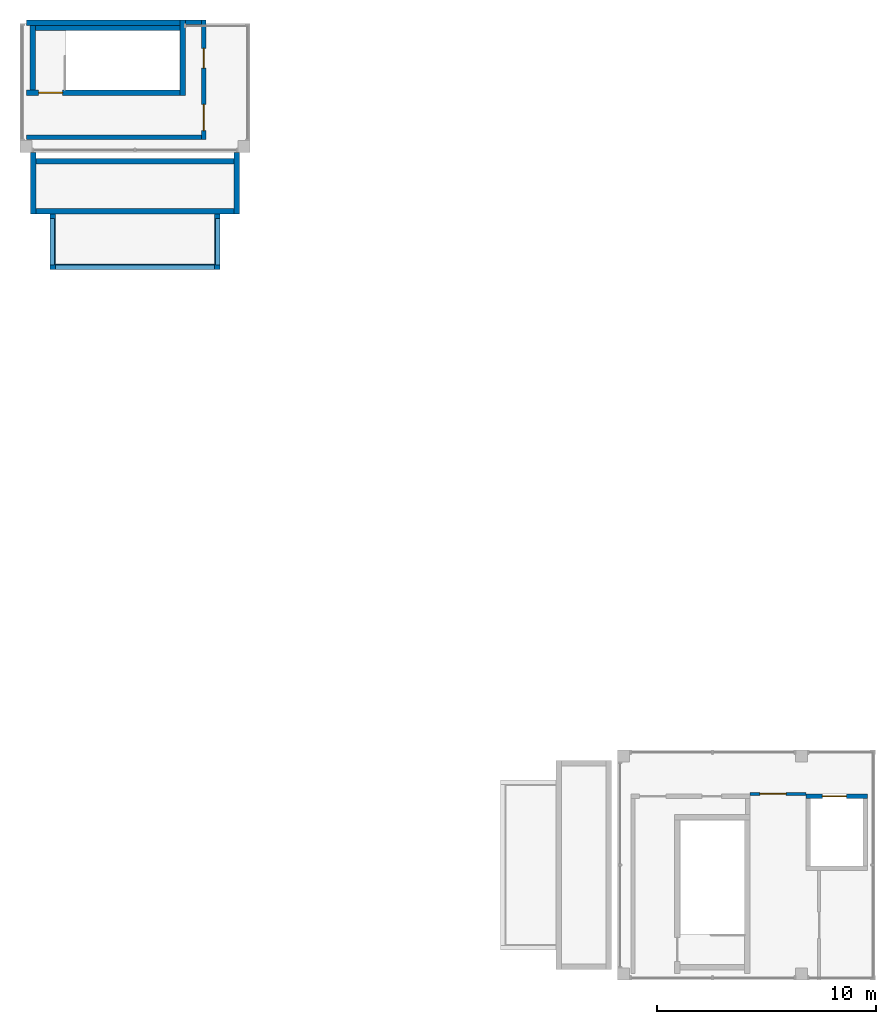
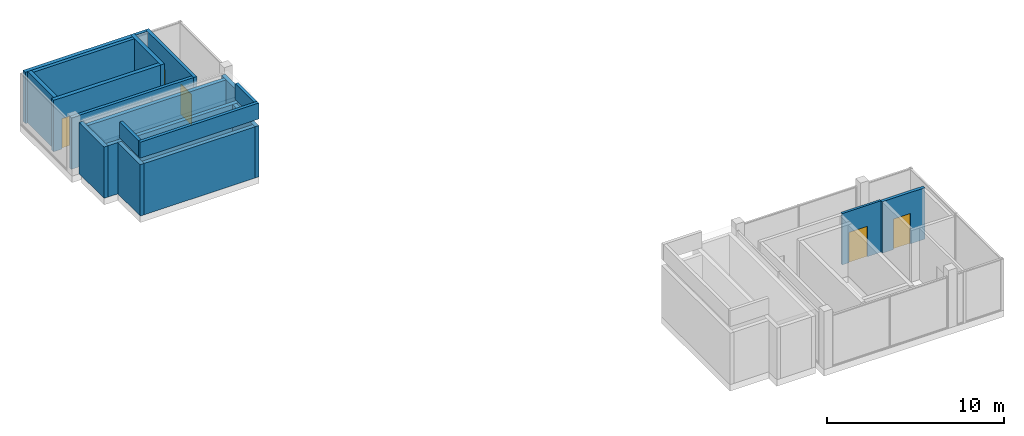
# One storey, part 5 of 6: 20 walls, 5 doors, 5 openings.
"""IFC4 building model written with IfcOpenShell, lengths in metres."""

from ifc_helpers import new_model, si_unit, direction, frame, frame_2d, origin, place, context, subcontext, project, spatial, rectangle, extrude, source, transform, mapped, material, layer, layer_set, type_object, element, fill, save


model = new_model("IFC4")

# Units and contexts
model_context = context("Model", 3, precision=1e-05, world=origin(), true_north=direction((0.0, 1.0)))
body_context = subcontext(model_context, "Body", "Model", "MODEL_VIEW")
ifc_project = project(units=[si_unit("LENGTHUNIT", "METRE"), si_unit("AREAUNIT", "SQUARE_METRE"), si_unit("VOLUMEUNIT", "CUBIC_METRE"), si_unit("PLANEANGLEUNIT", "RADIAN"), si_unit("MASSUNIT", "GRAM", prefix="KILO")], contexts=[model_context])

# Site, building, storey
site_placement = place(None, origin())
site = spatial("IfcSite", under=ifc_project, at=site_placement, CompositionType="ELEMENT")
building_placement = place(site_placement, origin())
building = spatial("IfcBuilding", under=site, at=building_placement, Name="Aurelian Terraces", CompositionType="ELEMENT")
storey_placement = place(building_placement, frame((0.0, 0.0, 380.5)))
storey = spatial("IfcBuildingStorey", under=building, at=storey_placement, Name="L91", CompositionType="ELEMENT", Elevation=380.5)

# Walls
ifc_material_1 = material(Name="Concrete fc' 40 MPa", Category="concrete")
ifc_layer_1 = layer(ifc_material_1, 0.2)
ifc_layer_set_1 = layer_set([ifc_layer_1], Name="CROWN PARAPET 200 FC40")
wall_type_1 = type_object("IfcWallType", Name="CROWN PARAPET 200 FC40", PredefinedType="SOLIDWALL", material=ifc_layer_set_1)
wall_1_placement = place(storey_placement, frame((11.875, 32.558, 4.0), z_axis=(0.0, 0.0, 1.0), x_axis=(1.0, 0.0, 0.0)))
element("IfcWall", 1, at=wall_1_placement, inside=storey, type_object=wall_type_1, Name="Crown roof parapet BS2", PredefinedType="SOLIDWALL", context=body_context, shape_type="SweptSolid", body=[
    extrude(rectangle(XDim=7.75, YDim=0.2, at=frame_2d((3.875, 0.0))), origin(), (0.0, 0.0, 1.0), 1.1),
])
wall_2_placement = place(storey_placement, frame((19.525, 32.658, 4.0), z_axis=(0.0, 0.0, 1.0), x_axis=(0.0, 1.0, 0.0)))
element("IfcWall", 2, at=wall_2_placement, inside=storey, type_object=wall_type_1, Name="Crown roof parapet BS2", PredefinedType="SOLIDWALL", context=body_context, shape_type="SweptSolid", body=[
    extrude(rectangle(XDim=2.134, YDim=0.2, at=frame_2d((1.067, 0.0))), origin(), (0.0, 0.0, 1.0), 1.1),
])
ifc_layer_2 = layer(ifc_material_1, 0.3)
ifc_layer_set_2 = layer_set([ifc_layer_2], Name="STAIR BAY WALL 300")
wall_type_2 = type_object("IfcWallType", Name="STAIR BAY WALL 300", PredefinedType="SOLIDWALL", material=ifc_layer_set_2)
wall_3_placement = place(storey_placement, frame((18.0, 43.53, 0.0), z_axis=(0.0, 0.0, 1.0), x_axis=(-1.0, 0.0, 0.0)))
element("IfcWall", 3, at=wall_3_placement, inside=storey, type_object=wall_type_2, Name="Stair bay wall L91 F07.2", PredefinedType="SOLIDWALL", context=body_context, shape_type="SweptSolid", body=[
    extrude(rectangle(XDim=7.0, YDim=0.3, at=frame_2d((3.5, 0.0))), origin(), (0.0, 0.0, 1.0), 3.55),
])
ifc_material_2 = material(Name="Concrete fc' 55 MPa", Category="concrete")
ifc_layer_3 = layer(ifc_material_2, 0.25)
ifc_layer_set_3 = layer_set([ifc_layer_3], Name="PLANT PENTHOUSE 250 FC55")
wall_type_3 = type_object("IfcWallType", Name="PLANT PENTHOUSE 250 FC55", PredefinedType="SOLIDWALL", material=ifc_layer_set_3)
shared_shape_1 = source(origin(), body_context, "Body", "SweptSolid", [
    extrude(rectangle(XDim=7.25, YDim=0.25, at=frame_2d((3.625, 0.0))), origin(), (0.0, 0.0, 1.0), 3.55),
])
wall_4_placement = place(storey_placement, frame((12.125, 32.583, 0.0), z_axis=(0.0, 0.0, 1.0), x_axis=(1.0, 0.0, 0.0)))
element("IfcWall", 4, at=wall_4_placement, inside=storey, type_object=wall_type_3, Name="Crown tier wall BS2", PredefinedType="SOLIDWALL", context=body_context, shape_type="MappedRepresentation", body=[
    mapped(shared_shape_1, transform((0.0, 0.0, 0.0), scale=1.0)),
])
shared_shape_2 = source(origin(), body_context, "Body", "SweptSolid", [
    extrude(rectangle(XDim=2.534, YDim=0.25, at=frame_2d((1.267, 0.0))), origin(), (0.0, 0.0, 1.0), 3.55),
])
for number, where, z_axis, x_axis, name in (
    (5, (19.5, 32.458, 0.0), (0.0, 0.0, 1.0), (0.0, 1.0, 0.0), "Crown tier wall BS2"),
    (6, (12.0, 34.992, 0.0), (0.0, 0.0, 1.0), (0.0, -1.0, 0.0), "Crown tier wall BS2"),
):
    element("IfcWall", number, at=place(storey_placement, frame(where, z_axis=z_axis, x_axis=x_axis)), inside=storey, type_object=wall_type_3, Name=name, PredefinedType="SOLIDWALL", context=body_context, shape_type="MappedRepresentation", body=[
        mapped(shared_shape_2, transform((0.0, 0.0, 0.0), scale=1.0)),
    ])
shared_shape_3 = source(origin(), body_context, "Body", "SweptSolid", [
    extrude(rectangle(XDim=2.134, YDim=0.2, at=frame_2d((1.067, 0.0))), origin(), (0.0, 0.0, 1.0), 1.1),
])
wall_5_placement = place(storey_placement, frame((11.975, 32.658, 4.0), z_axis=(0.0, 0.0, 1.0), x_axis=(0.0, 1.0, 0.0)))
element("IfcWall", 7, at=wall_5_placement, inside=storey, type_object=wall_type_1, Name="Crown roof parapet BS2", PredefinedType="SOLIDWALL", context=body_context, shape_type="MappedRepresentation", body=[
    mapped(shared_shape_3, transform((0.0, 0.0, 0.0), scale=1.0)),
])
shared_shape_4 = source(origin(), body_context, "Body", "SweptSolid", [
    extrude(rectangle(XDim=9.05, YDim=0.25, at=frame_2d((4.525, 0.0))), origin(), (0.0, 0.0, 1.0), 3.55),
])
for number, where, z_axis, x_axis, name in (
    (8, (11.225, 35.117, 0.0), (0.0, 0.0, 1.0), (1.0, 0.0, 0.0), "Crown tier wall BS3"),
    (9, (20.275, 37.4, 0.0), (0.0, 0.0, 1.0), (-1.0, 0.0, 0.0), "Crown tier wall BS3"),
):
    element("IfcWall", number, at=place(storey_placement, frame(where, z_axis=z_axis, x_axis=x_axis)), inside=storey, type_object=wall_type_3, Name=name, PredefinedType="SOLIDWALL", context=body_context, shape_type="MappedRepresentation", body=[
        mapped(shared_shape_4, transform((0.0, 0.0, 0.0), scale=1.0)),
    ])
shared_shape_5 = source(origin(), body_context, "Body", "SweptSolid", [
    extrude(rectangle(XDim=2.808, YDim=0.25, at=frame_2d((1.404, 0.0))), origin(), (0.0, 0.0, 1.0), 3.55),
])
for number, where, z_axis, x_axis, name in (
    (10, (20.4, 34.992, 0.0), (0.0, 0.0, 1.0), (0.0, 1.0, 0.0), "Crown tier wall BS3"),
    (11, (11.1, 37.8, 0.0), (0.0, 0.0, 1.0), (0.0, -1.0, 0.0), "Crown tier wall BS3"),
):
    element("IfcWall", number, at=place(storey_placement, frame(where, z_axis=z_axis, x_axis=x_axis)), inside=storey, type_object=wall_type_3, Name=name, PredefinedType="SOLIDWALL", context=body_context, shape_type="MappedRepresentation", body=[
        mapped(shared_shape_5, transform((0.0, 0.0, 0.0), scale=1.0)),
    ])

# Wall, opening, door
ifc_layer_4 = layer(ifc_material_1, 0.25)
ifc_layer_set_4 = layer_set([ifc_layer_4], Name="Stair enclosure wall 250")
wall_type_4 = type_object("IfcWallType", Name="Stair enclosure wall 250", PredefinedType="SOLIDWALL", material=ifc_layer_set_4)
shared_shape_6 = source(origin(), body_context, "Body", "SweptSolid", [
    extrude(rectangle(XDim=7.0, YDim=0.25, at=frame_2d((3.5, 0.0))), origin(), (0.0, 0.0, 1.0), 3.55),
])
wall_6_placement = place(storey_placement, frame((10.8, 40.525, 0.0), z_axis=(0.0, 0.0, 1.0), x_axis=(1.0, 0.0, 0.0)))
wall_6 = element("IfcWall", 12, at=wall_6_placement, inside=storey, type_object=wall_type_4, Name="L91 core wall ST-S3U-W", PredefinedType="SOLIDWALL", context=body_context, shape_type="MappedRepresentation", body=[
    mapped(shared_shape_6, transform((0.0, 0.0, 0.0), scale=1.0)),
])
shared_shape_7 = source(origin(), body_context, "Body", "SweptSolid", [
    extrude(rectangle(XDim=1.1, YDim=2.1, at=frame_2d((0.55, 1.05))), frame((0.0, 0.135, 0.0), z_axis=(0.0, -1.0, 0.0), x_axis=(1.0, 0.0, 0.0)), (0.0, 0.0, 1.0), 0.27),
])
opening_1_placement = place(wall_6_placement, frame((0.55, 0.0, 0.0)))
opening_1 = element("IfcOpeningElement", 13, at=opening_1_placement, cuts=wall_6, Name="Opening 69404", PredefinedType="OPENING", context=body_context, shape_type="MappedRepresentation", body=[
    mapped(shared_shape_7, transform((0.0, 0.0, 0.0), scale=1.0)),
])
ifc_material_3 = material(Name="Steel door leaf", Category="steel")
door_type_1 = type_object("IfcDoorType", Name="Core fire door 1100x2100", OperationType="SINGLE_SWING_LEFT", PredefinedType="DOOR", material=ifc_material_3)
shared_shape_8 = source(origin(), body_context, "Body", "SweptSolid", [
    extrude(rectangle(XDim=1.1, YDim=2.1, at=frame_2d((0.55, 1.05))), frame((0.0, 0.025, 0.0), z_axis=(0.0, -1.0, 0.0), x_axis=(1.0, 0.0, 0.0)), (0.0, 0.0, 1.0), 0.05),
])
door_1_placement = place(opening_1_placement, origin())
door_1 = element("IfcDoor", 14, at=door_1_placement, inside=storey, type_object=door_type_1, Name="Stair door 69404", OperationType="SINGLE_SWING_LEFT", OverallHeight=2.1, OverallWidth=1.1, PredefinedType="DOOR", context=body_context, shape_type="MappedRepresentation", body=[
    mapped(shared_shape_8, transform((0.0, 0.0, 0.0), scale=1.0)),
])
fill(opening_1, door_1)

# Walls
wall_7_placement = place(storey_placement, frame((10.8, 43.725, 0.0), z_axis=(0.0, 0.0, 1.0), x_axis=(1.0, 0.0, 0.0)))
element("IfcWall", 15, at=wall_7_placement, inside=storey, type_object=wall_type_4, Name="L91 core wall ST-S3U-E", PredefinedType="SOLIDWALL", context=body_context, shape_type="MappedRepresentation", body=[
    mapped(shared_shape_6, transform((0.0, 0.0, 0.0), scale=1.0)),
])
shared_shape_9 = source(origin(), body_context, "Body", "SweptSolid", [
    extrude(rectangle(XDim=3.45, YDim=0.25, at=frame_2d((1.725, 0.0))), origin(), (0.0, 0.0, 1.0), 3.55),
])
wall_8_placement = place(storey_placement, frame((17.925, 40.4, 0.0), z_axis=(0.0, 0.0, 1.0), x_axis=(0.0, 1.0, 0.0)))
element("IfcWall", 16, at=wall_8_placement, inside=storey, type_object=wall_type_4, Name="L91 core wall ST-S3U-N", PredefinedType="SOLIDWALL", context=body_context, shape_type="MappedRepresentation", body=[
    mapped(shared_shape_9, transform((0.0, 0.0, 0.0), scale=1.0)),
])
ifc_material_4 = material(Name="Gypsum board on steel studs", Category="steel")
ifc_layer_5 = layer(ifc_material_4, 0.2)
ifc_layer_set_5 = layer_set([ifc_layer_5], Name="Core partition 200")
wall_type_5 = type_object("IfcWallType", Name="Core partition 200", PredefinedType="PARTITIONING", material=ifc_layer_set_5)
shared_shape_10 = source(origin(), body_context, "Body", "SweptSolid", [
    extrude(rectangle(XDim=8.0, YDim=0.2, at=frame_2d((4.0, 0.0))), origin(), (0.0, 0.0, 1.0), 3.55),
])
wall_9_placement = place(storey_placement, frame((10.8, 38.5, 0.0), z_axis=(0.0, 0.0, 1.0), x_axis=(1.0, 0.0, 0.0)))
element("IfcWall", 17, at=wall_9_placement, inside=storey, type_object=wall_type_5, Name="L91 core wall ST-S3U-VW", PredefinedType="PARTITIONING", context=body_context, shape_type="MappedRepresentation", body=[
    mapped(shared_shape_10, transform((0.0, 0.0, 0.0), scale=1.0)),
])

# Wall, openings, doors
shared_shape_11 = source(origin(), body_context, "Body", "SweptSolid", [
    extrude(rectangle(XDim=5.45, YDim=0.2, at=frame_2d((2.725, 0.0))), origin(), (0.0, 0.0, 1.0), 3.55),
])
wall_10_placement = place(storey_placement, frame((18.9, 38.4, 0.0), z_axis=(0.0, 0.0, 1.0), x_axis=(0.0, 1.0, 0.0)))
wall_10 = element("IfcWall", 18, at=wall_10_placement, inside=storey, type_object=wall_type_5, Name="L91 core wall ST-S3U-BN", PredefinedType="PARTITIONING", context=body_context, shape_type="MappedRepresentation", body=[
    mapped(shared_shape_11, transform((0.0, 0.0, 0.0), scale=1.0)),
])
shared_shape_12 = source(origin(), body_context, "Body", "SweptSolid", [
    extrude(rectangle(XDim=1.2, YDim=2.1, at=frame_2d((0.6, 1.05))), frame((0.0, 0.11, 0.0), z_axis=(0.0, -1.0, 0.0), x_axis=(1.0, 0.0, 0.0)), (0.0, 0.0, 1.0), 0.22),
])
opening_2_placement = place(wall_10_placement, frame((0.4, 0.0, 0.0)))
opening_2 = element("IfcOpeningElement", 19, at=opening_2_placement, cuts=wall_10, Name="Opening 69405", PredefinedType="OPENING", context=body_context, shape_type="MappedRepresentation", body=[
    mapped(shared_shape_12, transform((0.0, 0.0, 0.0), scale=1.0)),
])
shared_shape_13 = source(origin(), body_context, "Body", "SweptSolid", [
    extrude(rectangle(XDim=0.9, YDim=2.1, at=frame_2d((0.45, 1.05))), frame((0.0, 0.11, 0.0), z_axis=(0.0, -1.0, 0.0), x_axis=(1.0, 0.0, 0.0)), (0.0, 0.0, 1.0), 0.22),
])
opening_3_placement = place(wall_10_placement, frame((3.25, 0.0, 0.0)))
opening_3 = element("IfcOpeningElement", 20, at=opening_3_placement, cuts=wall_10, Name="Opening 69406", PredefinedType="OPENING", context=body_context, shape_type="MappedRepresentation", body=[
    mapped(shared_shape_13, transform((0.0, 0.0, 0.0), scale=1.0)),
])
door_type_2 = type_object("IfcDoorType", Name="Core riser door 900x2100", OperationType="SINGLE_SWING_LEFT", PredefinedType="DOOR", material=ifc_material_3)
shared_shape_14 = source(origin(), body_context, "Body", "SweptSolid", [
    extrude(rectangle(XDim=0.9, YDim=2.1, at=frame_2d((0.45, 1.05))), frame((0.0, 0.025, 0.0), z_axis=(0.0, -1.0, 0.0), x_axis=(1.0, 0.0, 0.0)), (0.0, 0.0, 1.0), 0.05),
])
door_2_placement = place(opening_3_placement, origin())
door_2 = element("IfcDoor", 21, at=door_2_placement, inside=storey, type_object=door_type_2, Name="Riser door 69406", OperationType="SINGLE_SWING_LEFT", OverallHeight=2.1, OverallWidth=0.9, PredefinedType="DOOR", context=body_context, shape_type="MappedRepresentation", body=[
    mapped(shared_shape_14, transform((0.0, 0.0, 0.0), scale=1.0)),
])
fill(opening_3, door_2)
door_type_3 = type_object("IfcDoorType", Name="Core fire door 1200x2100 right", OperationType="SINGLE_SWING_RIGHT", PredefinedType="DOOR", material=ifc_material_3)
shared_shape_15 = source(origin(), body_context, "Body", "SweptSolid", [
    extrude(rectangle(XDim=1.2, YDim=2.1, at=frame_2d((0.6, 1.05))), frame((0.0, 0.025, 0.0), z_axis=(0.0, -1.0, 0.0), x_axis=(1.0, 0.0, 0.0)), (0.0, 0.0, 1.0), 0.05),
])
door_3_placement = place(opening_2_placement, origin())
door_3 = element("IfcDoor", 22, at=door_3_placement, inside=storey, type_object=door_type_3, Name="Vestibule door 69405", OperationType="SINGLE_SWING_RIGHT", OverallHeight=2.1, OverallWidth=1.2, PredefinedType="DOOR", context=body_context, shape_type="MappedRepresentation", body=[
    mapped(shared_shape_15, transform((0.0, 0.0, 0.0), scale=1.0)),
])
fill(opening_2, door_3)

# Walls
shared_shape_16 = source(origin(), body_context, "Body", "SweptSolid", [
    extrude(rectangle(XDim=0.75, YDim=0.2, at=frame_2d((0.375, 0.0))), origin(), (0.0, 0.0, 1.0), 3.55),
])
wall_11_placement = place(storey_placement, frame((18.05, 43.75, 0.0), z_axis=(0.0, 0.0, 1.0), x_axis=(1.0, 0.0, 0.0)))
element("IfcWall", 23, at=wall_11_placement, inside=storey, type_object=wall_type_5, Name="L91 core wall ST-S3U-RE", PredefinedType="PARTITIONING", context=body_context, shape_type="MappedRepresentation", body=[
    mapped(shared_shape_16, transform((0.0, 0.0, 0.0), scale=1.0)),
])
shared_shape_17 = source(origin(), body_context, "Body", "SweptSolid", [
    extrude(rectangle(XDim=2.95, YDim=0.25, at=frame_2d((1.475, 0.0))), origin(), (0.0, 0.0, 1.0), 3.55),
])
wall_12_placement = place(storey_placement, frame((11.075, 40.65, 0.0), z_axis=(0.0, 0.0, 1.0), x_axis=(0.0, 1.0, 0.0)))
element("IfcWall", 24, at=wall_12_placement, inside=storey, type_object=wall_type_4, Name="L91 core wall ST-S3U-SS", PredefinedType="SOLIDWALL", context=body_context, shape_type="MappedRepresentation", body=[
    mapped(shared_shape_17, transform((0.0, 0.0, 0.0), scale=1.0)),
])

# Wall, opening, door
ifc_layer_6 = layer(ifc_material_1, 0.2)
ifc_layer_set_6 = layer_set([ifc_layer_6], Name="Lift shaft wall 200")
wall_type_6 = type_object("IfcWallType", Name="Lift shaft wall 200", PredefinedType="SOLIDWALL", material=ifc_layer_set_6)
shared_shape_18 = source(origin(), body_context, "Body", "SweptSolid", [
    extrude(rectangle(XDim=2.8, YDim=0.2, at=frame_2d((1.4, 0.0))), origin(), (0.0, 0.0, 1.0), 3.55),
])
wall_13_placement = place(storey_placement, frame((46.4, 8.4, 0.0), z_axis=(0.0, 0.0, 1.0), x_axis=(1.0, 0.0, 0.0)))
wall_13 = element("IfcWall", 25, at=wall_13_placement, inside=storey, type_object=wall_type_6, Name="L91 core wall SV-N", PredefinedType="SOLIDWALL", context=body_context, shape_type="MappedRepresentation", body=[
    mapped(shared_shape_18, transform((0.0, 0.0, 0.0), scale=1.0)),
])
shared_shape_19 = source(origin(), body_context, "Body", "SweptSolid", [
    extrude(rectangle(XDim=1.1, YDim=2.1, at=frame_2d((0.55, 1.05))), frame((0.0, 0.11, 0.0), z_axis=(0.0, -1.0, 0.0), x_axis=(1.0, 0.0, 0.0)), (0.0, 0.0, 1.0), 0.22),
])
opening_4_placement = place(wall_13_placement, frame((0.75, 0.0, 0.0)))
opening_4 = element("IfcOpeningElement", 26, at=opening_4_placement, cuts=wall_13, Name="Opening 69400", PredefinedType="OPENING", context=body_context, shape_type="MappedRepresentation", body=[
    mapped(shared_shape_19, transform((0.0, 0.0, 0.0), scale=1.0)),
])
ifc_material_5 = material(Name="Stainless steel", Category="steel")
door_type_4 = type_object("IfcDoorType", Name="Lift landing door 1100x2100", OperationType="SLIDING_TO_LEFT", PredefinedType="DOOR", material=ifc_material_5)
door_4_placement = place(opening_4_placement, origin())
door_4 = element("IfcDoor", 27, at=door_4_placement, inside=storey, type_object=door_type_4, Name="Lift landing door SV1 L91", OperationType="SLIDING_TO_LEFT", OverallHeight=2.1, OverallWidth=1.1, PredefinedType="DOOR", context=body_context, shape_type="MappedRepresentation", body=[
    mapped(shared_shape_8, transform((0.0, 0.0, 0.0), scale=1.0)),
])
fill(opening_4, door_4)

ifc_layer_7 = layer(ifc_material_4, 0.15)
ifc_layer_set_7 = layer_set([ifc_layer_7], Name="Special partition 150")
wall_type_7 = type_object("IfcWallType", Name="Special partition 150", PredefinedType="PARTITIONING", material=ifc_layer_set_7)
shared_shape_20 = source(origin(), body_context, "Body", "SweptSolid", [
    extrude(rectangle(XDim=2.55, YDim=0.15, at=frame_2d((1.275, 0.0))), origin(), (0.0, 0.0, 1.0), 3.55),
])
wall_14_placement = place(storey_placement, frame((43.85, 8.5, 0.0), z_axis=(0.0, 0.0, 1.0), x_axis=(1.0, 0.0, 0.0)))
wall_14 = element("IfcWall", 28, at=wall_14_placement, inside=storey, type_object=wall_type_7, Name="L91 partition W01", PredefinedType="PARTITIONING", context=body_context, shape_type="MappedRepresentation", body=[
    mapped(shared_shape_20, transform((0.0, 0.0, 0.0), scale=1.0)),
])
shared_shape_21 = source(origin(), body_context, "Body", "SweptSolid", [
    extrude(rectangle(XDim=1.2, YDim=2.1, at=frame_2d((0.6, 1.05))), frame((0.0, 0.085, 0.0), z_axis=(0.0, -1.0, 0.0), x_axis=(1.0, 0.0, 0.0)), (0.0, 0.0, 1.0), 0.17),
])
opening_5_placement = place(wall_14_placement, frame((0.45, 0.0, 0.0)))
opening_5 = element("IfcOpeningElement", 29, at=opening_5_placement, cuts=wall_14, Name="Opening 79401", PredefinedType="OPENING", context=body_context, shape_type="MappedRepresentation", body=[
    mapped(shared_shape_21, transform((0.0, 0.0, 0.0), scale=1.0)),
])
door_type_5 = type_object("IfcDoorType", Name="Special door 1200x2100 right", OperationType="SINGLE_SWING_RIGHT", PredefinedType="DOOR", material=ifc_material_3)
door_5_placement = place(opening_5_placement, origin())
door_5 = element("IfcDoor", 30, at=door_5_placement, inside=storey, type_object=door_type_5, Name="Door 79401", OperationType="SINGLE_SWING_RIGHT", OverallHeight=2.1, OverallWidth=1.2, PredefinedType="DOOR", context=body_context, shape_type="MappedRepresentation", body=[
    mapped(shared_shape_15, transform((0.0, 0.0, 0.0), scale=1.0)),
])
fill(opening_5, door_5)

save(model, "model.ifc")
